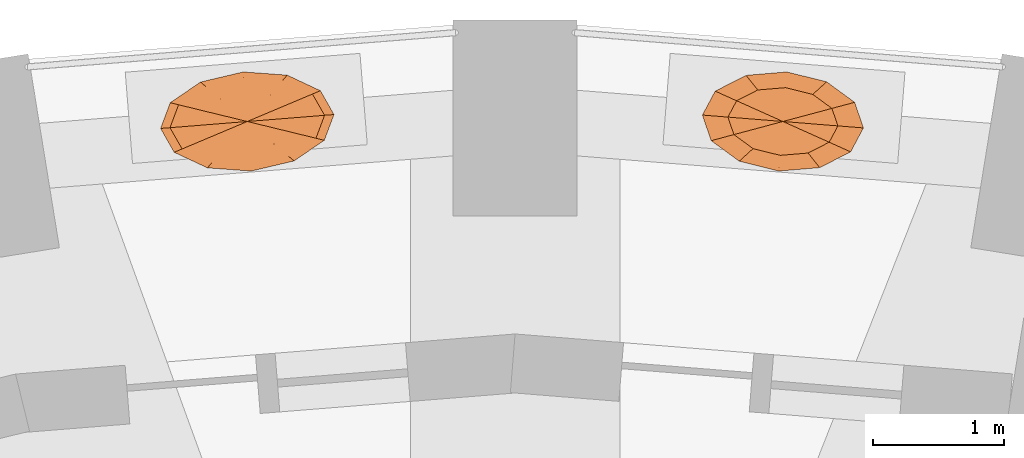
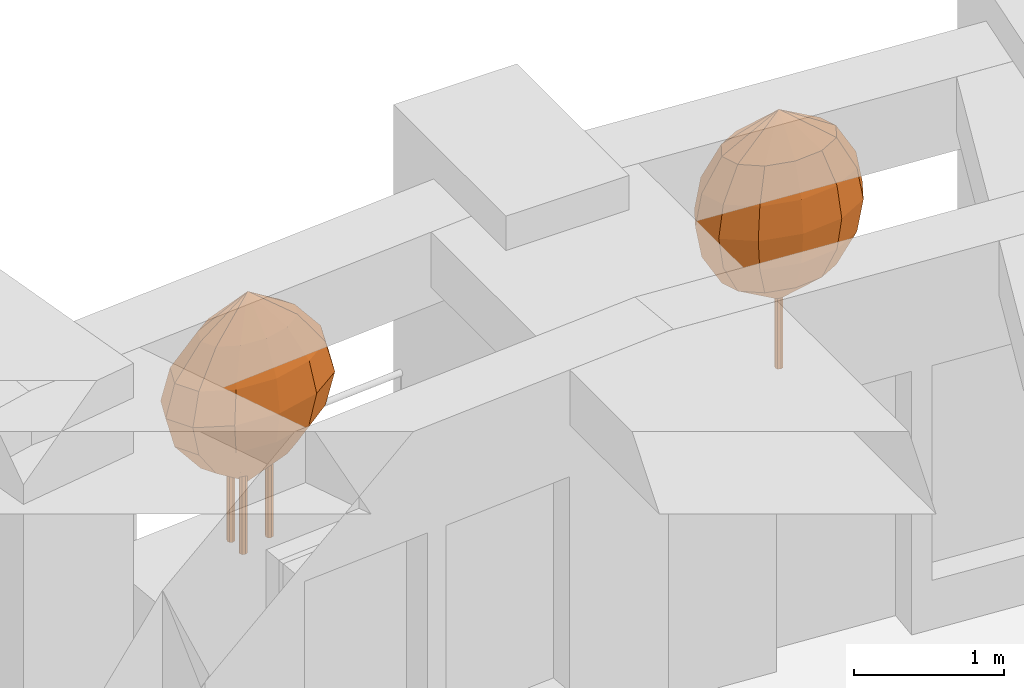
# One storey, part 11 of 11: 2 geographic elements.
"""IFC4 building model written with IfcOpenShell, lengths in metres."""

from ifc_helpers import new_model, si_unit, direction, frame, origin, place, context, subcontext, project, spatial, faceted_brep, material, constituent, constituent_set, type_object, element, save


model = new_model("IFC4")

# Units and contexts
model_context = context("Model", 3, precision=1e-05, world=origin(), true_north=direction((0.0, 1.0)))
body_context = subcontext(model_context, "Body", "Model", "MODEL_VIEW")
ifc_project = project(units=[si_unit("LENGTHUNIT", "METRE"), si_unit("AREAUNIT", "SQUARE_METRE"), si_unit("VOLUMEUNIT", "CUBIC_METRE"), si_unit("PLANEANGLEUNIT", "RADIAN"), si_unit("MASSUNIT", "GRAM", prefix="KILO")], contexts=[model_context])

# Site, building, storey
site_placement = place(None, origin())
site = spatial("IfcSite", under=ifc_project, at=site_placement, CompositionType="ELEMENT")
building_placement = place(site_placement, origin())
building = spatial("IfcBuilding", under=site, at=building_placement, Name="Taillehof Tower", CompositionType="ELEMENT")
storey_placement = place(building_placement, frame((0.0, 0.0, 178.10009765625)))
storey = spatial("IfcBuildingStorey", under=building, at=storey_placement, Name="L50", CompositionType="ELEMENT", Elevation=178.10009765625)

# Geographic elements
ifc_material_1 = material(Name="Tree bark", Category="timber")
ifc_constituent_1 = constituent(ifc_material_1, Name="Trunk", Category="timber")
ifc_material_2 = material(Name="Tree foliage")
ifc_constituent_2 = constituent(ifc_material_2, Name="Crown")
ifc_constituent_set_1 = constituent_set(constituents=[ifc_constituent_1, ifc_constituent_2], Name="Tree TR1 Columnar hornbeam")
geographic_element_type_1 = type_object("IfcGeographicElementType", Name="Tree TR1 Columnar hornbeam", PredefinedType="USERDEFINED", material=ifc_constituent_set_1)
geographic_element_1_placement = place(storey_placement, frame((2.147216796875, 21.524169921875, 0.75)))
element("IfcGeographicElement", 1, at=geographic_element_1_placement, inside=storey, type_object=geographic_element_type_1, Name="Tree TR1 Columnar hornbeam", ObjectType="TREE", PredefinedType="USERDEFINED", context=body_context, shape_type="Brep", body=[
    faceted_brep([(0.030029296875, 0.0, 0.0), (0.021240234375, 0.021240234375, 0.0), (0.021240234375, 0.021240234375, 1.092529296875), (0.030029296875, 0.0, 1.092529296875), (0.0, 0.030029296875, 0.0), (0.0, 0.030029296875, 1.092529296875), (-0.021240234375, 0.021240234375, 0.0), (-0.021240234375, 0.021240234375, 1.092529296875), (-0.030029296875, 0.0, 0.0), (-0.030029296875, 0.0, 1.092529296875), (-0.021240234375, -0.021240234375, 0.0), (-0.021240234375, -0.021240234375, 1.092529296875), (0.0, -0.030029296875, 0.0), (0.0, -0.030029296875, 1.092529296875), (0.021240234375, -0.021240234375, 0.0), (0.021240234375, -0.021240234375, 1.092529296875)], [[[0, 1, 2, 3]], [[1, 4, 5, 2]], [[4, 6, 7, 5]], [[6, 8, 9, 7]], [[8, 10, 11, 9]], [[10, 12, 13, 11]], [[12, 14, 15, 13]], [[14, 0, 3, 15]], [[14, 12, 10, 8, 6, 4, 1, 0]], [[3, 2, 5, 7, 9, 11, 13, 15]]]),
    faceted_brep([(0.0, 0.0, 0.550048828125), (-0.37451171875, -0.10009765625, 0.808349609375), (-0.42041015625, 0.03369140625, 0.808349609375), (-0.22802734375, -0.207275390625, 0.808349609375), (-0.020751953125, -0.2587890625, 0.808349609375), (0.1923828125, -0.240966796875, 0.808349609375), (0.353759765625, -0.158447265625, 0.808349609375), (0.42041015625, -0.03369140625, 0.808349609375), (0.37451171875, 0.10009765625, 0.808349609375), (0.22802734375, 0.207275390625, 0.808349609375), (0.020751953125, 0.2587890625, 0.808349609375), (-0.1923828125, 0.240966796875, 0.808349609375), (-0.353759765625, 0.158447265625, 0.808349609375), (-0.506591796875, -0.135498046875, 1.066650390625), (-0.568603515625, 0.04541015625, 1.066650390625), (-0.30859375, -0.2802734375, 1.066650390625), (-0.028076171875, -0.35009765625, 1.066650390625), (0.260009765625, -0.325927734375, 1.066650390625), (0.478515625, -0.21435546875, 1.066650390625), (0.568603515625, -0.04541015625, 1.066650390625), (0.506591796875, 0.135498046875, 1.066650390625), (0.30859375, 0.2802734375, 1.066650390625), (0.028076171875, 0.35009765625, 1.066650390625), (-0.260009765625, 0.325927734375, 1.066650390625), (-0.478515625, 0.21435546875, 1.066650390625), (-0.54833984375, -0.146728515625, 1.324951171875), (-0.615478515625, 0.04931640625, 1.324951171875), (-0.333984375, -0.303466796875, 1.324951171875), (-0.0302734375, -0.37890625, 1.324951171875), (0.281494140625, -0.352783203125, 1.324951171875), (0.517822265625, -0.232177734375, 1.324951171875), (0.615478515625, -0.04931640625, 1.324951171875), (0.54833984375, 0.146728515625, 1.324951171875), (0.333984375, 0.303466796875, 1.324951171875), (0.0302734375, 0.37890625, 1.324951171875), (-0.281494140625, 0.352783203125, 1.324951171875), (-0.517822265625, 0.232177734375, 1.324951171875), (-0.506591796875, -0.135498046875, 1.583251953125), (-0.568603515625, 0.04541015625, 1.583251953125), (-0.30859375, -0.2802734375, 1.583251953125), (-0.028076171875, -0.35009765625, 1.583251953125), (0.260009765625, -0.325927734375, 1.583251953125), (0.478515625, -0.21435546875, 1.583251953125), (0.568603515625, -0.04541015625, 1.583251953125), (0.506591796875, 0.135498046875, 1.583251953125), (0.30859375, 0.2802734375, 1.583251953125), (0.028076171875, 0.35009765625, 1.583251953125), (-0.260009765625, 0.325927734375, 1.583251953125), (-0.478515625, 0.21435546875, 1.583251953125), (-0.37451171875, -0.10009765625, 1.841552734375), (-0.42041015625, 0.03369140625, 1.841552734375), (-0.22802734375, -0.207275390625, 1.841552734375), (-0.020751953125, -0.2587890625, 1.841552734375), (0.1923828125, -0.240966796875, 1.841552734375), (0.353759765625, -0.158447265625, 1.841552734375), (0.42041015625, -0.03369140625, 1.841552734375), (0.37451171875, 0.10009765625, 1.841552734375), (0.22802734375, 0.207275390625, 1.841552734375), (0.020751953125, 0.2587890625, 1.841552734375), (-0.1923828125, 0.240966796875, 1.841552734375), (-0.353759765625, 0.158447265625, 1.841552734375), (0.0, 0.0, 2.10009765625)], [[[0, 1, 2]], [[0, 3, 1]], [[0, 4, 3]], [[0, 5, 4]], [[0, 6, 5]], [[0, 7, 6]], [[0, 8, 7]], [[0, 9, 8]], [[0, 10, 9]], [[0, 11, 10]], [[0, 12, 11]], [[0, 2, 12]], [[2, 1, 13, 14]], [[1, 3, 15, 13]], [[3, 4, 16, 15]], [[4, 5, 17, 16]], [[5, 6, 18, 17]], [[6, 7, 19, 18]], [[7, 8, 20, 19]], [[8, 9, 21, 20]], [[9, 10, 22, 21]], [[10, 11, 23, 22]], [[11, 12, 24, 23]], [[12, 2, 14, 24]], [[14, 13, 25, 26]], [[13, 15, 27, 25]], [[15, 16, 28, 27]], [[16, 17, 29, 28]], [[17, 18, 30, 29]], [[18, 19, 31, 30]], [[19, 20, 32, 31]], [[20, 21, 33, 32]], [[21, 22, 34, 33]], [[22, 23, 35, 34]], [[23, 24, 36, 35]], [[24, 14, 26, 36]], [[26, 25, 37, 38]], [[25, 27, 39, 37]], [[27, 28, 40, 39]], [[28, 29, 41, 40]], [[29, 30, 42, 41]], [[30, 31, 43, 42]], [[31, 32, 44, 43]], [[32, 33, 45, 44]], [[33, 34, 46, 45]], [[34, 35, 47, 46]], [[35, 36, 48, 47]], [[36, 26, 38, 48]], [[38, 37, 49, 50]], [[37, 39, 51, 49]], [[39, 40, 52, 51]], [[40, 41, 53, 52]], [[41, 42, 54, 53]], [[42, 43, 55, 54]], [[43, 44, 56, 55]], [[44, 45, 57, 56]], [[45, 46, 58, 57]], [[46, 47, 59, 58]], [[47, 48, 60, 59]], [[48, 38, 50, 60]], [[50, 49, 61]], [[49, 51, 61]], [[51, 52, 61]], [[52, 53, 61]], [[53, 54, 61]], [[54, 55, 61]], [[55, 56, 61]], [[56, 57, 61]], [[57, 58, 61]], [[58, 59, 61]], [[59, 60, 61]], [[60, 50, 61]]]),
])
ifc_material_3 = material(Name="Tree bark", Category="timber")
ifc_constituent_3 = constituent(ifc_material_3, Name="Trunk", Category="timber")
ifc_material_4 = material(Name="Tree foliage")
ifc_constituent_4 = constituent(ifc_material_4, Name="Crown")
ifc_constituent_set_2 = constituent_set(constituents=[ifc_constituent_3, ifc_constituent_4], Name="Tree TR3 Multi-stem serviceberry")
geographic_element_type_2 = type_object("IfcGeographicElementType", Name="Tree TR3 Multi-stem serviceberry", PredefinedType="USERDEFINED", material=ifc_constituent_set_2)
geographic_element_2_placement = place(storey_placement, frame((-1.947265625, 21.524169921875, 0.75)))
element("IfcGeographicElement", 2, at=geographic_element_2_placement, inside=storey, type_object=geographic_element_type_2, Name="Tree TR3 Multi-stem serviceberry", ObjectType="TREE", PredefinedType="USERDEFINED", context=body_context, shape_type="Brep", body=[
    faceted_brep([(0.195068359375, 0.0, 0.0), (0.186767578125, 0.0205078125, 0.0), (0.186767578125, 0.0205078125, 1.04248046875), (0.195068359375, 0.0, 1.04248046875), (0.166259765625, 0.02880859375, 0.0), (0.166259765625, 0.02880859375, 1.04248046875), (0.145751953125, 0.0205078125, 0.0), (0.145751953125, 0.0205078125, 1.04248046875), (0.137451171875, 0.0, 0.0), (0.137451171875, 0.0, 1.04248046875), (0.145751953125, -0.0205078125, 0.0), (0.145751953125, -0.0205078125, 1.04248046875), (0.166259765625, -0.02880859375, 0.0), (0.166259765625, -0.02880859375, 1.04248046875), (0.186767578125, -0.0205078125, 0.0), (0.186767578125, -0.0205078125, 1.04248046875)], [[[0, 1, 2, 3]], [[1, 4, 5, 2]], [[4, 6, 7, 5]], [[6, 8, 9, 7]], [[8, 10, 11, 9]], [[10, 12, 13, 11]], [[12, 14, 15, 13]], [[14, 0, 3, 15]], [[14, 12, 10, 8, 6, 4, 1, 0]], [[3, 2, 5, 7, 9, 11, 13, 15]]]),
    faceted_brep([(-0.05419921875, 0.082275390625, 0.0), (-0.062744140625, 0.102783203125, 0.0), (-0.062744140625, 0.102783203125, 1.04248046875), (-0.05419921875, 0.082275390625, 1.04248046875), (-0.0830078125, 0.111083984375, 0.0), (-0.0830078125, 0.111083984375, 1.04248046875), (-0.103515625, 0.102783203125, 0.0), (-0.103515625, 0.102783203125, 1.04248046875), (-0.112060546875, 0.082275390625, 0.0), (-0.112060546875, 0.082275390625, 1.04248046875), (-0.103515625, 0.061767578125, 0.0), (-0.103515625, 0.061767578125, 1.04248046875), (-0.0830078125, 0.053466796875, 0.0), (-0.0830078125, 0.053466796875, 1.04248046875), (-0.062744140625, 0.061767578125, 0.0), (-0.062744140625, 0.061767578125, 1.04248046875)], [[[0, 1, 2, 3]], [[1, 4, 5, 2]], [[4, 6, 7, 5]], [[6, 8, 9, 7]], [[8, 10, 11, 9]], [[10, 12, 13, 11]], [[12, 14, 15, 13]], [[14, 0, 3, 15]], [[14, 12, 10, 8, 6, 4, 1, 0]], [[3, 2, 5, 7, 9, 11, 13, 15]]]),
    faceted_brep([(-0.05419921875, -0.082275390625, 0.0), (-0.062744140625, -0.061767578125, 0.0), (-0.062744140625, -0.061767578125, 1.04248046875), (-0.05419921875, -0.082275390625, 1.04248046875), (-0.0830078125, -0.053466796875, 0.0), (-0.0830078125, -0.053466796875, 1.04248046875), (-0.103515625, -0.061767578125, 0.0), (-0.103515625, -0.061767578125, 1.04248046875), (-0.112060546875, -0.082275390625, 0.0), (-0.112060546875, -0.082275390625, 1.04248046875), (-0.103515625, -0.102783203125, 0.0), (-0.103515625, -0.102783203125, 1.04248046875), (-0.0830078125, -0.111083984375, 0.0), (-0.0830078125, -0.111083984375, 1.04248046875), (-0.062744140625, -0.102783203125, 0.0), (-0.062744140625, -0.102783203125, 1.04248046875)], [[[0, 1, 2, 3]], [[1, 4, 5, 2]], [[4, 6, 7, 5]], [[6, 8, 9, 7]], [[8, 10, 11, 9]], [[10, 12, 13, 11]], [[12, 14, 15, 13]], [[14, 0, 3, 15]], [[14, 12, 10, 8, 6, 4, 1, 0]], [[3, 2, 5, 7, 9, 11, 13, 15]]]),
    faceted_brep([(0.0, 0.0, 0.5), (-0.321044921875, -0.13525390625, 0.75830078125), (-0.380615234375, -0.030517578125, 0.75830078125), (-0.17529296875, -0.20361328125, 0.75830078125), (0.017333984375, -0.217529296875, 0.75830078125), (0.205322265625, -0.173095703125, 0.75830078125), (0.33837890625, -0.082275390625, 0.75830078125), (0.380615234375, 0.030517578125, 0.75830078125), (0.321044921875, 0.13525390625, 0.75830078125), (0.17529296875, 0.20361328125, 0.75830078125), (-0.017333984375, 0.217529296875, 0.75830078125), (-0.205322265625, 0.173095703125, 0.75830078125), (-0.33837890625, 0.082275390625, 0.75830078125), (-0.498046875, -0.209716796875, 1.0166015625), (-0.5908203125, -0.04736328125, 1.0166015625), (-0.27197265625, -0.31591796875, 1.0166015625), (0.027099609375, -0.337646484375, 1.0166015625), (0.31884765625, -0.268798828125, 1.0166015625), (0.525146484375, -0.1279296875, 1.0166015625), (0.5908203125, 0.04736328125, 1.0166015625), (0.498046875, 0.209716796875, 1.0166015625), (0.27197265625, 0.31591796875, 1.0166015625), (-0.027099609375, 0.337646484375, 1.0166015625), (-0.31884765625, 0.268798828125, 1.0166015625), (-0.525146484375, 0.1279296875, 1.0166015625), (-0.558837890625, -0.2353515625, 1.27490234375), (-0.662841796875, -0.052978515625, 1.27490234375), (-0.30517578125, -0.3544921875, 1.27490234375), (0.0302734375, -0.37890625, 1.27490234375), (0.357666015625, -0.301513671875, 1.27490234375), (0.589111328125, -0.1435546875, 1.27490234375), (0.662841796875, 0.052978515625, 1.27490234375), (0.558837890625, 0.2353515625, 1.27490234375), (0.30517578125, 0.3544921875, 1.27490234375), (-0.0302734375, 0.37890625, 1.27490234375), (-0.357666015625, 0.301513671875, 1.27490234375), (-0.589111328125, 0.1435546875, 1.27490234375), (-0.498046875, -0.209716796875, 1.533447265625), (-0.5908203125, -0.04736328125, 1.533447265625), (-0.27197265625, -0.31591796875, 1.533447265625), (0.027099609375, -0.337646484375, 1.533447265625), (0.31884765625, -0.268798828125, 1.533447265625), (0.525146484375, -0.1279296875, 1.533447265625), (0.5908203125, 0.04736328125, 1.533447265625), (0.498046875, 0.209716796875, 1.533447265625), (0.27197265625, 0.31591796875, 1.533447265625), (-0.027099609375, 0.337646484375, 1.533447265625), (-0.31884765625, 0.268798828125, 1.533447265625), (-0.525146484375, 0.1279296875, 1.533447265625), (-0.321044921875, -0.13525390625, 1.791748046875), (-0.380615234375, -0.030517578125, 1.791748046875), (-0.17529296875, -0.20361328125, 1.791748046875), (0.017333984375, -0.217529296875, 1.791748046875), (0.205322265625, -0.173095703125, 1.791748046875), (0.33837890625, -0.082275390625, 1.791748046875), (0.380615234375, 0.030517578125, 1.791748046875), (0.321044921875, 0.13525390625, 1.791748046875), (0.17529296875, 0.20361328125, 1.791748046875), (-0.017333984375, 0.217529296875, 1.791748046875), (-0.205322265625, 0.173095703125, 1.791748046875), (-0.33837890625, 0.082275390625, 1.791748046875), (0.0, 0.0, 2.050048828125)], [[[0, 1, 2]], [[0, 3, 1]], [[0, 4, 3]], [[0, 5, 4]], [[0, 6, 5]], [[0, 7, 6]], [[0, 8, 7]], [[0, 9, 8]], [[0, 10, 9]], [[0, 11, 10]], [[0, 12, 11]], [[0, 2, 12]], [[2, 1, 13, 14]], [[1, 3, 15, 13]], [[3, 4, 16, 15]], [[4, 5, 17, 16]], [[5, 6, 18, 17]], [[6, 7, 19, 18]], [[7, 8, 20, 19]], [[8, 9, 21, 20]], [[9, 10, 22, 21]], [[10, 11, 23, 22]], [[11, 12, 24, 23]], [[12, 2, 14, 24]], [[14, 13, 25, 26]], [[13, 15, 27, 25]], [[15, 16, 28, 27]], [[16, 17, 29, 28]], [[17, 18, 30, 29]], [[18, 19, 31, 30]], [[19, 20, 32, 31]], [[20, 21, 33, 32]], [[21, 22, 34, 33]], [[22, 23, 35, 34]], [[23, 24, 36, 35]], [[24, 14, 26, 36]], [[26, 25, 37, 38]], [[25, 27, 39, 37]], [[27, 28, 40, 39]], [[28, 29, 41, 40]], [[29, 30, 42, 41]], [[30, 31, 43, 42]], [[31, 32, 44, 43]], [[32, 33, 45, 44]], [[33, 34, 46, 45]], [[34, 35, 47, 46]], [[35, 36, 48, 47]], [[36, 26, 38, 48]], [[38, 37, 49, 50]], [[37, 39, 51, 49]], [[39, 40, 52, 51]], [[40, 41, 53, 52]], [[41, 42, 54, 53]], [[42, 43, 55, 54]], [[43, 44, 56, 55]], [[44, 45, 57, 56]], [[45, 46, 58, 57]], [[46, 47, 59, 58]], [[47, 48, 60, 59]], [[48, 38, 50, 60]], [[50, 49, 61]], [[49, 51, 61]], [[51, 52, 61]], [[52, 53, 61]], [[53, 54, 61]], [[54, 55, 61]], [[55, 56, 61]], [[56, 57, 61]], [[57, 58, 61]], [[58, 59, 61]], [[59, 60, 61]], [[60, 50, 61]]]),
])

save(model, "model.ifc")
